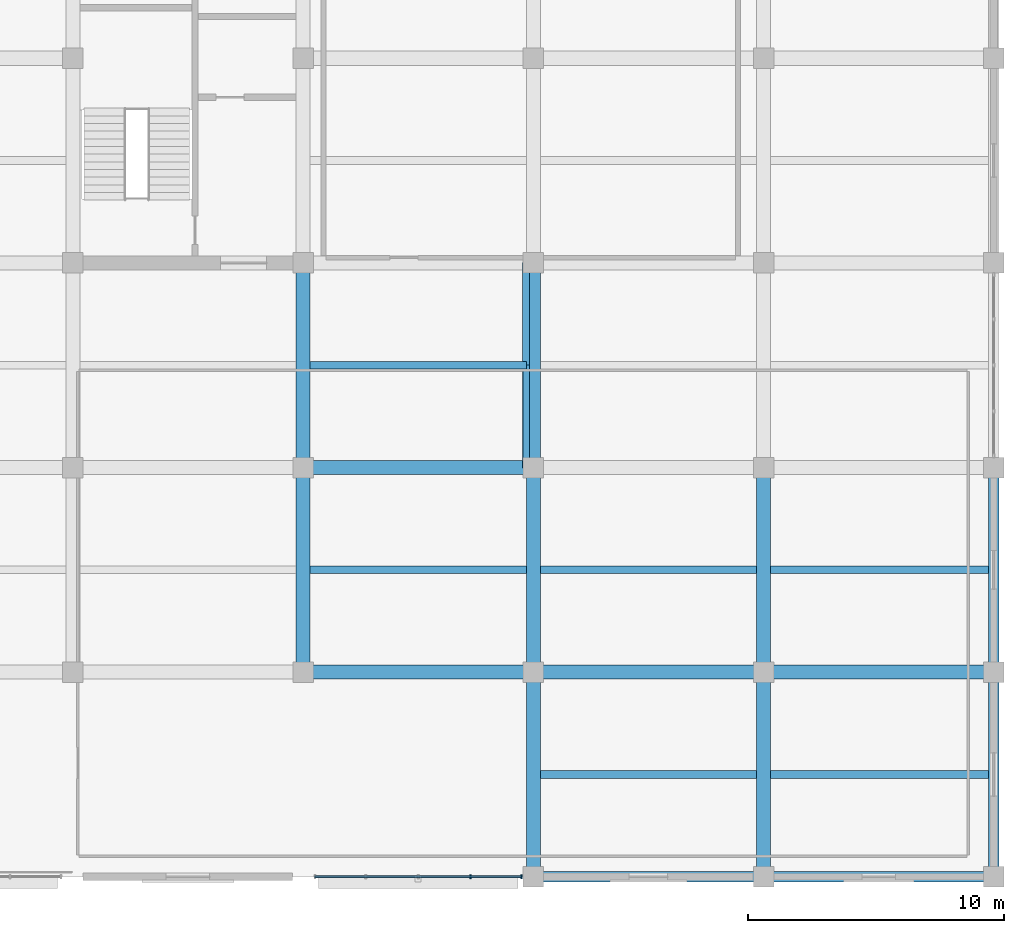
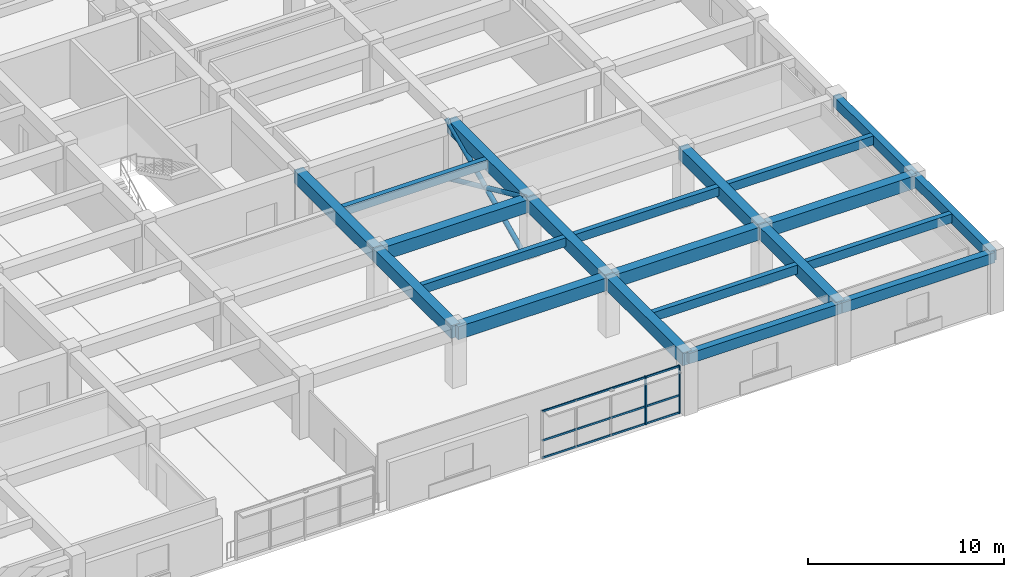
# One storey, part 6 of 16: 21 beams, 7 members, 1 element without a shape of its own.
"""IFC4 building model written with IfcOpenShell, lengths in metres."""

from ifc_helpers import new_model, si_unit, direction, frame, origin, origin_2d, place, context, subcontext, project, spatial, rectangle, hollow_circle, extrude, material, material_profile, profile_set, type_object, element, aggregate, save


model = new_model("IFC4")

# Units and contexts
model_context = context("Model", 3, precision=1e-05, world=origin(), true_north=direction((0.0, 1.0)))
body_context = subcontext(model_context, "Body", "Model", "MODEL_VIEW")
ifc_project = project(units=[si_unit("LENGTHUNIT", "METRE"), si_unit("AREAUNIT", "SQUARE_METRE"), si_unit("VOLUMEUNIT", "CUBIC_METRE"), si_unit("PLANEANGLEUNIT", "RADIAN"), si_unit("MASSUNIT", "GRAM", prefix="KILO")], contexts=[model_context])

# Site, building, storey
site_placement = place(None, origin())
site = spatial("IfcSite", under=ifc_project, at=site_placement, CompositionType="ELEMENT")
building_placement = place(site_placement, origin())
building = spatial("IfcBuilding", under=site, at=building_placement, Name="Zaverband Oceanarium and Marine Research Institute", CompositionType="ELEMENT")
storey_placement = place(building_placement, frame((0.0, 0.0, 37.5)))
storey = spatial("IfcBuildingStorey", under=building, at=storey_placement, Name="L09", CompositionType="ELEMENT", Elevation=37.5)

# Beams
ifc_material_1 = material(Name="Concrete C40/50", Category="concrete")
ifc_material_profile_1 = material_profile(ifc_material_1, rectangle(XDim=0.550048828125, YDim=0.800048828125, at=origin_2d()), Name="RC550x800")
ifc_profile_set_1 = profile_set([ifc_material_profile_1], Name="Concrete C40/50")
beam_type_1 = type_object("IfcBeamType", Name="BM-550x800", PredefinedType="BEAM", material=ifc_profile_set_1)
for number, where, z_axis, x_axis, name in (
    (1, (45.0, 72.0, 3.25), (1.0, 0.0, 0.0), (0.0, 1.0, 0.0), "Primary floor girder BM-550x800"),
    (2, (54.0, 72.0, 3.25), (1.0, 0.0, 0.0), (0.0, 1.0, 0.0), "Primary floor girder BM-550x800"),
    (3, (63.0, 72.0, 3.25), (1.0, 0.0, 0.0), (0.0, 1.0, 0.0), "Primary floor girder BM-550x800"),
    (4, (45.0, 80.0, 3.25), (1.0, 0.0, 0.0), (0.0, 1.0, 0.0), "Primary floor girder BM-550x800"),
):
    element("IfcBeam", number, at=place(storey_placement, frame(where, z_axis=z_axis, x_axis=x_axis)), inside=storey, type_object=beam_type_1, Name=name, PredefinedType="BEAM", context=body_context, shape_type="SweptSolid", body=[
        extrude(rectangle(XDim=0.550048828125, YDim=0.800048828125, at=origin_2d()), origin(), (0.0, 0.0, 1.0), 9.0),
    ])
for number, where, z_axis, x_axis, name in (
    (5, (45.0, 72.0, 3.25), (0.0, 1.0, 0.0), (-1.0, 0.0, 0.0), "Primary floor girder BM-550x800"),
    (6, (45.0, 80.0, 3.25), (0.0, 1.0, 0.0), (-1.0, 0.0, 0.0), "Primary floor girder BM-550x800"),
    (7, (54.0, 64.0, 3.25), (0.0, 1.0, 0.0), (-1.0, 0.0, 0.0), "Primary floor girder BM-550x800"),
    (8, (54.0, 72.0, 3.25), (0.0, 1.0, 0.0), (-1.0, 0.0, 0.0), "Primary floor girder BM-550x800"),
    (9, (54.0, 80.0, 3.25), (0.0, 1.0, 0.0), (-1.0, 0.0, 0.0), "Primary floor girder BM-550x800"),
    (10, (63.0, 64.0, 3.25), (0.0, 1.0, 0.0), (-1.0, 0.0, 0.0), "Primary floor girder BM-550x800"),
    (11, (63.0, 72.0, 3.25), (0.0, 1.0, 0.0), (-1.0, 0.0, 0.0), "Primary floor girder BM-550x800"),
):
    element("IfcBeam", number, at=place(storey_placement, frame(where, z_axis=z_axis, x_axis=x_axis)), inside=storey, type_object=beam_type_1, Name=name, PredefinedType="BEAM", context=body_context, shape_type="SweptSolid", body=[
        extrude(rectangle(XDim=0.550048828125, YDim=0.800048828125, at=origin_2d()), origin(), (0.0, 0.0, 1.0), 8.0),
    ])

# Members
ifc_material_2 = material(Name="Steel S355", Category="steel")
ifc_material_profile_2 = material_profile(ifc_material_2, hollow_circle(Radius=0.136474609375, WallThickness=0.010009765625, at=origin_2d()), Name="CHS273x10")
ifc_profile_set_2 = profile_set([ifc_material_profile_2], Name="Steel S355")
member_type_1 = type_object("IfcMemberType", Name="BR-01", PredefinedType="BRACE", material=ifc_profile_set_2)
for number, where, z_axis, x_axis, name in (
    (12, (53.719970703125, 80.0, 0.0), (0.0, 0.909785572369, 0.415078561612), (-1.0, 0.0, 0.0), "Diagonal lateral brace BR-01"),
    (13, (53.719970703125, 88.0, 0.0), (0.0, -0.909785572369, 0.415078561612), (1.0, 0.0, 0.0), "Diagonal lateral brace BR-01"),
):
    element("IfcMember", number, at=place(storey_placement, frame(where, z_axis=z_axis, x_axis=x_axis)), inside=storey, type_object=member_type_1, Name=name, PredefinedType="BRACE", context=body_context, shape_type="SweptSolid", body=[
        extrude(hollow_circle(Radius=0.136474609375, WallThickness=0.010009765625, at=origin_2d()), origin(), (0.0, 0.0, 1.0), 8.793212890625),
    ])

# Beams
ifc_material_profile_3 = material_profile(ifc_material_1, rectangle(XDim=0.300048828125, YDim=0.550048828125, at=origin_2d()), Name="RC300x550")
ifc_profile_set_3 = profile_set([ifc_material_profile_3], Name="Concrete C40/50")
beam_type_2 = type_object("IfcBeamType", Name="JST-300x550", PredefinedType="JOIST", material=ifc_profile_set_3)
for number, where, z_axis, x_axis, name in (
    (14, (45.27490234375, 76.0, 3.375), (1.0, 0.0, 0.0), (0.0, 1.0, 0.0), "Secondary floor joist JST-300x550"),
    (15, (45.27490234375, 84.0, 3.375), (1.0, 0.0, 0.0), (0.0, 1.0, 0.0), "Secondary floor joist JST-300x550"),
    (16, (54.27490234375, 68.0, 3.375), (1.0, 0.0, 0.0), (0.0, 1.0, 0.0), "Secondary floor joist JST-300x550"),
    (17, (54.27490234375, 76.0, 3.375), (1.0, 0.0, 0.0), (0.0, 1.0, 0.0), "Secondary floor joist JST-300x550"),
):
    element("IfcBeam", number, at=place(storey_placement, frame(where, z_axis=z_axis, x_axis=x_axis)), inside=storey, type_object=beam_type_2, Name=name, PredefinedType="JOIST", context=body_context, shape_type="SweptSolid", body=[
        extrude(rectangle(XDim=0.300048828125, YDim=0.550048828125, at=origin_2d()), origin(), (0.0, 0.0, 1.0), 8.4501953125),
    ])
for number, where, z_axis, x_axis, name in (
    (18, (63.27490234375, 68.0, 3.375), (1.0, 0.0, 0.0), (0.0, 1.0, 0.0), "Secondary floor joist JST-300x550"),
    (19, (63.27490234375, 76.0, 3.375), (1.0, 0.0, 0.0), (0.0, 1.0, 0.0), "Secondary floor joist JST-300x550"),
):
    element("IfcBeam", number, at=place(storey_placement, frame(where, z_axis=z_axis, x_axis=x_axis)), inside=storey, type_object=beam_type_2, Name=name, PredefinedType="JOIST", context=body_context, shape_type="SweptSolid", body=[
        extrude(rectangle(XDim=0.300048828125, YDim=0.550048828125, at=origin_2d()), origin(), (0.0, 0.0, 1.0), 8.525146484375),
    ])

# Curtain wall, members
ifc_material_3 = material(Name="Thermally broken anodized aluminium and solar-control glass", Category="aluminium")
curtain_wall_type = type_object("IfcCurtainWallType", Name="CW-UNIT-1800", PredefinedType="NOTDEFINED", material=ifc_material_3)
curtain_wall_placement = place(storey_placement, origin())
curtain_wall = element("IfcCurtainWall", 20, at=curtain_wall_placement, inside=storey, type_object=curtain_wall_type, Name="Unitised glazed curtain wall CW-105", PredefinedType="NOTDEFINED")
ifc_material_4 = material(Name="Thermally broken anodized aluminium", Category="aluminium")
ifc_material_profile_4 = material_profile(ifc_material_4, rectangle(XDim=0.070068359375, YDim=0.14990234375, at=origin_2d()), Name="AL-MUL-70x150")
ifc_profile_set_4 = profile_set([ifc_material_profile_4], Name="Thermally broken anodized aluminium")
member_type_2 = type_object("IfcMemberType", Name="MUL-70x150", PredefinedType="MULLION", material=ifc_profile_set_4)
member_1_placement = place(storey_placement, frame((51.547607421875, 64.0, 0.0), z_axis=(0.0, 0.0, 1.0), x_axis=(1.0, 0.0, 0.0)))
member_1 = element("IfcMember", 21, at=member_1_placement, type_object=member_type_2, Name="Curtain wall vertical mullion MUL-70x150", PredefinedType="MULLION", context=body_context, shape_type="SweptSolid", body=[
    extrude(rectangle(XDim=0.070068359375, YDim=0.14990234375, at=origin_2d()), origin(), (0.0, 0.0, 1.0), 2.97998046875),
])
member_2_placement = place(storey_placement, frame((53.534912109375, 64.0, 0.0), z_axis=(0.0, 0.0, 1.0), x_axis=(1.0, 0.0, 0.0)))
member_2 = element("IfcMember", 22, at=member_2_placement, type_object=member_type_2, Name="Curtain wall vertical mullion MUL-70x150", PredefinedType="MULLION", context=body_context, shape_type="SweptSolid", body=[
    extrude(rectangle(XDim=0.070068359375, YDim=0.14990234375, at=origin_2d()), origin(), (0.0, 0.0, 1.0), 2.97998046875),
])

# Beams
ifc_material_profile_5 = material_profile(ifc_material_1, rectangle(XDim=0.39990234375, YDim=0.64990234375, at=origin_2d()), Name="RC400x650")
ifc_profile_set_5 = profile_set([ifc_material_profile_5], Name="Concrete C40/50")
beam_type_3 = type_object("IfcBeamType", Name="SPN-400x650", PredefinedType="SPANDREL", material=ifc_profile_set_5)
for number, where, z_axis, x_axis, name in (
    (23, (54.0, 64.0, 3.324951171875), (1.0, 0.0, 0.0), (0.0, 1.0, 0.0), "Perimeter spandrel beam SPN-400x650"),
    (24, (63.0, 64.0, 3.324951171875), (1.0, 0.0, 0.0), (0.0, 1.0, 0.0), "Perimeter spandrel beam SPN-400x650"),
):
    element("IfcBeam", number, at=place(storey_placement, frame(where, z_axis=z_axis, x_axis=x_axis)), inside=storey, type_object=beam_type_3, Name=name, PredefinedType="SPANDREL", context=body_context, shape_type="SweptSolid", body=[
        extrude(rectangle(XDim=0.39990234375, YDim=0.64990234375, at=origin_2d()), origin(), (0.0, 0.0, 1.0), 9.0),
    ])
for number, where, z_axis, x_axis, name in (
    (25, (72.0, 64.0, 3.324951171875), (0.0, 1.0, 0.0), (-1.0, 0.0, 0.0), "Perimeter spandrel beam SPN-400x650"),
    (26, (72.0, 72.0, 3.324951171875), (0.0, 1.0, 0.0), (-1.0, 0.0, 0.0), "Perimeter spandrel beam SPN-400x650"),
):
    element("IfcBeam", number, at=place(storey_placement, frame(where, z_axis=z_axis, x_axis=x_axis)), inside=storey, type_object=beam_type_3, Name=name, PredefinedType="SPANDREL", context=body_context, shape_type="SweptSolid", body=[
        extrude(rectangle(XDim=0.39990234375, YDim=0.64990234375, at=origin_2d()), origin(), (0.0, 0.0, 1.0), 8.0),
    ])

# Member
ifc_material_profile_6 = material_profile(ifc_material_4, rectangle(XDim=0.070068359375, YDim=0.114990234375, at=origin_2d()), Name="AL-TRN-70x115")
ifc_profile_set_6 = profile_set([ifc_material_profile_6], Name="Thermally broken anodized aluminium")
member_type_3 = type_object("IfcMemberType", Name="TRN-70x115", PredefinedType="USERDEFINED", material=ifc_profile_set_6)
member_3_placement = place(storey_placement, frame((45.465087890625, 64.0, 0.050048828125), z_axis=(1.0, 0.0, 0.0), x_axis=(0.0, 1.0, 0.0)))
member_3 = element("IfcMember", 27, at=member_3_placement, type_object=member_type_3, Name="Curtain wall horizontal transom TRN-70x115", ObjectType="TRANSOM", PredefinedType="USERDEFINED", context=body_context, shape_type="SweptSolid", body=[
    extrude(rectangle(XDim=0.070068359375, YDim=0.114990234375, at=origin_2d()), origin(), (0.0, 0.0, 1.0), 8.06982421875),
])

member_4_placement = place(storey_placement, frame((45.465087890625, 64.0, 1.123046875), z_axis=(1.0, 0.0, 0.0), x_axis=(0.0, 1.0, 0.0)))
member_4 = element("IfcMember", 28, at=member_4_placement, type_object=member_type_3, Name="Curtain wall horizontal transom TRN-70x115", ObjectType="TRANSOM", PredefinedType="USERDEFINED", context=body_context, shape_type="SweptSolid", body=[
    extrude(rectangle(XDim=0.070068359375, YDim=0.114990234375, at=origin_2d()), origin(), (0.0, 0.0, 1.0), 8.06982421875),
])

member_5_placement = place(storey_placement, frame((45.465087890625, 64.0, 2.929931640625), z_axis=(1.0, 0.0, 0.0), x_axis=(0.0, 1.0, 0.0)))
member_5 = element("IfcMember", 29, at=member_5_placement, type_object=member_type_3, Name="Curtain wall horizontal transom TRN-70x115", ObjectType="TRANSOM", PredefinedType="USERDEFINED", context=body_context, shape_type="SweptSolid", body=[
    extrude(rectangle(XDim=0.070068359375, YDim=0.114990234375, at=origin_2d()), origin(), (0.0, 0.0, 1.0), 8.06982421875),
])

aggregate(curtain_wall, [member_1, member_2, member_3, member_4, member_5])

save(model, "model.ifc")
